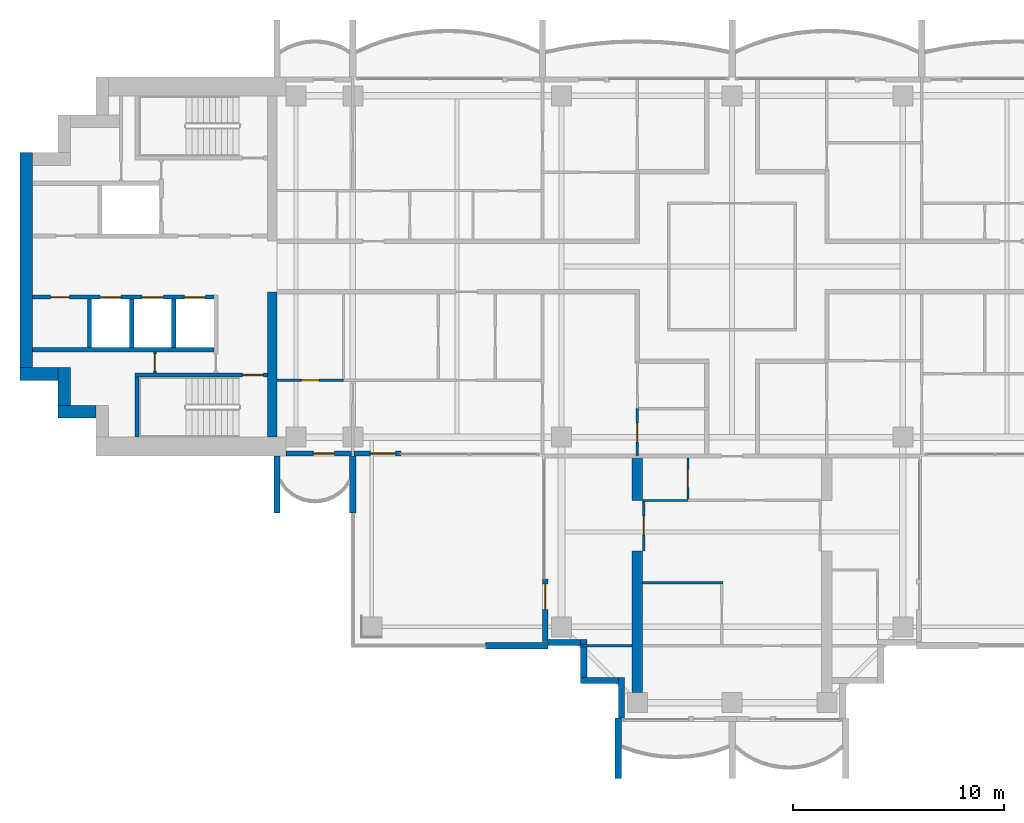
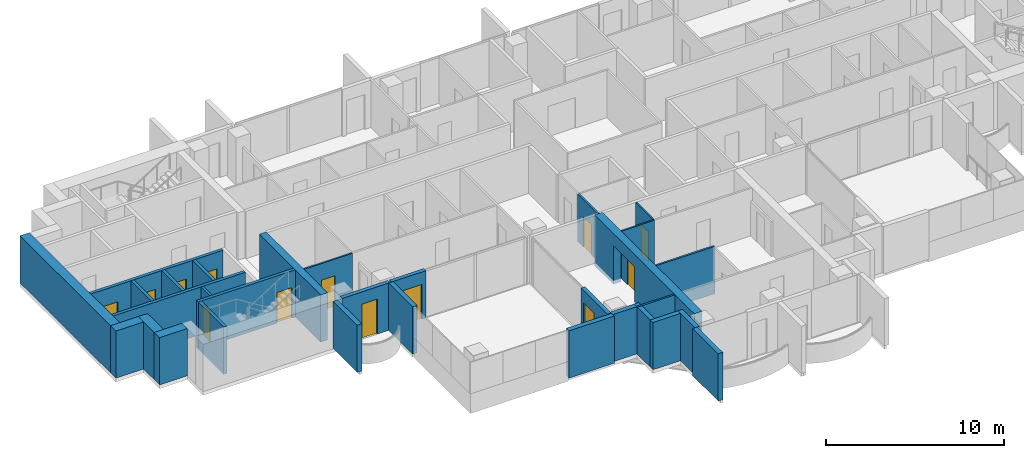
# One storey, part 8 of 17: 32 walls, 13 doors, 13 openings.
"""IFC4 building model written with IfcOpenShell, lengths in metres."""

from ifc_helpers import new_model, si_unit, direction, frame, frame_2d, origin, place, context, subcontext, project, spatial, polyline, rectangle, outline, extrude, material, layer, layer_set, material_profile, profile_set, type_object, element, fill, save


model = new_model("IFC4")

# Units and contexts
model_context = context("Model", 3, precision=1e-05, world=origin(), true_north=direction((0.0, 1.0)))
body_context = subcontext(model_context, "Body", "Model", "MODEL_VIEW")
ifc_project = project(units=[si_unit("LENGTHUNIT", "METRE"), si_unit("AREAUNIT", "SQUARE_METRE"), si_unit("VOLUMEUNIT", "CUBIC_METRE"), si_unit("PLANEANGLEUNIT", "RADIAN"), si_unit("MASSUNIT", "GRAM", prefix="KILO")], contexts=[model_context])

# Site, building, storey
site_placement = place(None, origin())
site = spatial("IfcSite", under=ifc_project, at=site_placement, CompositionType="ELEMENT")
building_placement = place(site_placement, origin())
building = spatial("IfcBuilding", under=site, at=building_placement, Name="Perihelion Cross Residences", CompositionType="ELEMENT")
storey_placement = place(building_placement, frame((0.0, 0.0, 212.10009765625)))
storey = spatial("IfcBuildingStorey", under=building, at=storey_placement, Name="L53", CompositionType="ELEMENT", Elevation=212.10009765625)

# Wall, opening, door
ifc_material_1 = material(Name="Concrete C30/37, bronze-clad", Category="concrete")
ifc_layer_1 = layer(ifc_material_1, 0.25)
ifc_layer_set_1 = layer_set([ifc_layer_1], Name="Bronze-clad pier wall 250")
wall_type_1 = type_object("IfcWallType", Name="Bronze-clad pier wall 250", PredefinedType="SOLIDWALL", material=ifc_layer_set_1)
wall_1_placement = place(storey_placement, frame((-21.175048828125, -8.875, 0.0), z_axis=(0.0, 0.0, 1.0), x_axis=(1.0, 0.0, 0.0)))
wall_1 = element("IfcWall", 1, at=wall_1_placement, inside=storey, type_object=wall_type_1, Name="Wall FW1 L53 west side south bay 1 pier", PredefinedType="SOLIDWALL", context=body_context, shape_type="SweptSolid", body=[
    extrude(rectangle(XDim=3.114990234375, YDim=0.25, at=frame_2d((1.5576171875, 0.0))), origin(), (0.0, 0.0, 1.0), 3.25),
])
opening_1_placement = place(wall_1_placement, frame((1.300048828125, 0.0, 0.0)))
opening_1 = element("IfcOpeningElement", 2, at=opening_1_placement, cuts=wall_1, Name="Opening L53.E07", PredefinedType="OPENING", context=body_context, shape_type="SweptSolid", body=[
    extrude(rectangle(XDim=1.0, YDim=2.39990234375, at=frame_2d((0.5, 1.199951171875))), frame((0.0, 0.135009765625, 0.0), z_axis=(0.0, -1.0, 0.0), x_axis=(1.0, 0.0, 0.0)), (0.0, 0.0, 1.0), 0.27001953125),
])
ifc_material_2 = material(Name="Bronze anodised aluminium, glazed", Category="aluminium")
door_type_1 = type_object("IfcDoorType", Name="Balcony door 1000 x 2400", OperationType="NOTDEFINED", PredefinedType="DOOR", material=ifc_material_2)
door_1_placement = place(opening_1_placement, origin())
door_1 = element("IfcDoor", 3, at=door_1_placement, inside=storey, type_object=door_type_1, Name="Door L53.E07 west side south bay 1", OperationType="SINGLE_SWING_LEFT", OverallHeight=2.39990234375, OverallWidth=1.0, PredefinedType="DOOR", context=body_context, shape_type="SweptSolid", body=[
    extrude(rectangle(XDim=1.0, YDim=2.39990234375, at=frame_2d((0.5, 1.199951171875))), frame((0.0, 0.02490234375, 0.0), z_axis=(0.0, -1.0, 0.0), x_axis=(1.0, 0.0, 0.0)), (0.0, 0.0, 1.0), 0.050048828125),
])
fill(opening_1, door_1)

wall_2_placement = place(storey_placement, frame((-17.93994140625, -8.875, 0.0), z_axis=(0.0, 0.0, 1.0), x_axis=(1.0, 0.0, 0.0)))
wall_2 = element("IfcWall", 4, at=wall_2_placement, inside=storey, type_object=wall_type_1, Name="Wall FW1 L53 west side south bay 2 pier", PredefinedType="SOLIDWALL", context=body_context, shape_type="SweptSolid", body=[
    extrude(rectangle(XDim=2.21484375, YDim=0.25, at=frame_2d((1.107421875, 0.0))), origin(), (0.0, 0.0, 1.0), 3.25),
])
opening_2_placement = place(wall_2_placement, frame((0.764892578125, 0.0, 0.0)))
opening_2 = element("IfcOpeningElement", 5, at=opening_2_placement, cuts=wall_2, Name="Opening L53.E08", PredefinedType="OPENING", context=body_context, shape_type="SweptSolid", body=[
    extrude(rectangle(XDim=1.199951171875, YDim=2.39990234375, at=frame_2d((0.60009765625, 1.199951171875))), frame((0.0, 0.135009765625, 0.0), z_axis=(0.0, -1.0, 0.0), x_axis=(1.0, 0.0, 0.0)), (0.0, 0.0, 1.0), 0.27001953125),
])
ifc_material_3 = material(Name="Bronze anodised aluminium, glazed", Category="aluminium")
door_type_2 = type_object("IfcDoorType", Name="Balcony door 1200 x 2400", OperationType="NOTDEFINED", PredefinedType="DOOR", material=ifc_material_3)
door_2_placement = place(opening_2_placement, origin())
door_2 = element("IfcDoor", 6, at=door_2_placement, inside=storey, type_object=door_type_2, Name="Door L53.E08 west side south bay 2", OperationType="SINGLE_SWING_RIGHT", OverallHeight=2.39990234375, OverallWidth=1.199951171875, PredefinedType="DOOR", context=body_context, shape_type="SweptSolid", body=[
    extrude(rectangle(XDim=1.199951171875, YDim=2.39990234375, at=frame_2d((0.60009765625, 1.199951171875))), frame((0.0, 0.02490234375, 0.0), z_axis=(0.0, -1.0, 0.0), x_axis=(1.0, 0.0, 0.0)), (0.0, 0.0, 1.0), 0.050048828125),
])
fill(opening_2, door_2)

wall_3_placement = place(storey_placement, frame((-8.875, -14.824951171875, 0.0), z_axis=(0.0, 0.0, 1.0), x_axis=(0.0, -1.0, 0.0)))
wall_3 = element("IfcWall", 7, at=wall_3_placement, inside=storey, type_object=wall_type_1, Name="Wall FW1 L53 south side west bay 1 pier", PredefinedType="SOLIDWALL", context=body_context, shape_type="SweptSolid", body=[
    extrude(rectangle(XDim=2.97509765625, YDim=0.25, at=frame_2d((1.487548828125, 0.0))), origin(), (0.0, 0.0, 1.0), 3.25),
])
opening_3_placement = place(wall_3_placement, frame((0.25, 0.0, 0.0)))
opening_3 = element("IfcOpeningElement", 8, at=opening_3_placement, cuts=wall_3, Name="Opening L53.E09", PredefinedType="OPENING", context=body_context, shape_type="SweptSolid", body=[
    extrude(rectangle(XDim=1.199951171875, YDim=2.39990234375, at=frame_2d((0.60009765625, 1.199951171875))), frame((0.0, 0.135009765625, 0.0), z_axis=(0.0, -1.0, 0.0), x_axis=(1.0, 0.0, 0.0)), (0.0, 0.0, 1.0), 0.27001953125),
])
door_3_placement = place(opening_3_placement, origin())
door_3 = element("IfcDoor", 9, at=door_3_placement, inside=storey, type_object=door_type_2, Name="Door L53.E09 south side west bay 1", OperationType="SINGLE_SWING_LEFT", OverallHeight=2.39990234375, OverallWidth=1.199951171875, PredefinedType="DOOR", context=body_context, shape_type="SweptSolid", body=[
    extrude(rectangle(XDim=1.199951171875, YDim=2.39990234375, at=frame_2d((0.60009765625, 1.199951171875))), frame((0.0, 0.02490234375, 0.0), z_axis=(0.0, -1.0, 0.0), x_axis=(1.0, 0.0, 0.0)), (0.0, 0.0, 1.0), 0.050048828125),
])
fill(opening_3, door_3)

# Walls
ifc_material_4 = material(Name="Concrete C30/37, bronze-clad", Category="concrete")
ifc_layer_2 = layer(ifc_material_4, 0.300048828125)
ifc_layer_set_2 = layer_set([ifc_layer_2], Name="Bronze-clad serration wall 300")
wall_type_2 = type_object("IfcWallType", Name="Bronze-clad serration wall 300", PredefinedType="SOLIDWALL", material=ifc_layer_set_2)
wall_4_placement = place(storey_placement, frame((-8.75, -17.85009765625, 0.0), z_axis=(0.0, 0.0, 1.0), x_axis=(1.0, 0.0, 0.0)))
element("IfcWall", 10, at=wall_4_placement, inside=storey, type_object=wall_type_2, Name="Wall SR1 L53 south corner south-west 1", PredefinedType="SOLIDWALL", context=body_context, shape_type="SweptSolid", body=[
    extrude(rectangle(XDim=1.550048828125, YDim=0.300048828125, at=frame_2d((0.77490234375, 0.0))), origin(), (0.0, 0.0, 1.0), 3.25),
])
for number, where, z_axis, x_axis, name in (
    (11, (-7.050048828125, -17.699951171875, 0.0), (0.0, 0.0, 1.0), (0.0, -1.0, 0.0), "Wall SR1 L53 south corner south-west 2"),
    (12, (-7.199951171875, -19.64990234375, 0.0), (0.0, 0.0, 1.0), (1.0, 0.0, 0.0), "Wall SR1 L53 south corner south-west 3"),
):
    element("IfcWall", number, at=place(storey_placement, frame(where, z_axis=z_axis, x_axis=x_axis)), inside=storey, type_object=wall_type_2, Name=name, PredefinedType="SOLIDWALL", context=body_context, shape_type="SweptSolid", body=[
        extrude(rectangle(XDim=1.800048828125, YDim=0.300048828125, at=frame_2d((0.89990234375, 0.0))), origin(), (0.0, 0.0, 1.0), 3.25),
    ])
wall_5_placement = place(storey_placement, frame((-5.25, -19.5, 0.0), z_axis=(0.0, 0.0, 1.0), x_axis=(0.0, -1.0, 0.0)))
element("IfcWall", 13, at=wall_5_placement, inside=storey, type_object=wall_type_2, Name="Wall SR1 L53 south corner south-west 4", PredefinedType="SOLIDWALL", context=body_context, shape_type="SweptSolid", body=[
    extrude(rectangle(XDim=1.919921875, YDim=0.300048828125, at=frame_2d((0.9599609375, 0.0))), origin(), (0.0, 0.0, 1.0), 3.25),
])
ifc_material_5 = material(Name="Concrete C60/75", Category="concrete")
ifc_layer_3 = layer(ifc_material_5, 0.449951171875)
ifc_layer_set_3 = layer_set([ifc_layer_3], Name="Core wall, inner 450")
wall_type_3 = type_object("IfcWallType", Name="Core wall, inner 450", PredefinedType="SHEAR", material=ifc_layer_set_3)
wall_6_placement = place(storey_placement, frame((-21.824951171875, -8.10009765625, 0.0), z_axis=(0.0, 0.0, 1.0), x_axis=(0.0, 1.0, 0.0)))
element("IfcWall", 14, at=wall_6_placement, inside=storey, type_object=wall_type_3, Name="West core core wall, inner", PredefinedType="SHEAR", context=body_context, shape_type="SweptSolid", body=[
    extrude(rectangle(XDim=6.900146484375, YDim=0.449951171875, at=frame_2d((3.4501953125, 0.0))), origin(), (0.0, 0.0, 1.0), 3.25),
])
ifc_material_6 = material(Name="Concrete C60/75", Category="concrete")
ifc_layer_4 = layer(ifc_material_6, 0.60009765625)
ifc_layer_set_4 = layer_set([ifc_layer_4], Name="Core wall, outer 600")
wall_type_4 = type_object("IfcWallType", Name="Core wall, outer 600", PredefinedType="SHEAR", material=ifc_layer_set_4)
for number, where, z_axis, x_axis, name in (
    (15, (-32.0, -6.89990234375, 0.0), (0.0, 0.0, 1.0), (1.0, 0.0, 0.0), "West core core wall, outer"),
    (16, (-31.699951171875, -6.60009765625, 0.0), (0.0, 0.0, 1.0), (0.0, 1.0, 0.0), "West core core wall, outer"),
    (17, (-33.800048828125, -5.10009765625, 0.0), (0.0, 0.0, 1.0), (1.0, 0.0, 0.0), "West core core wall, outer"),
):
    element("IfcWall", number, at=place(storey_placement, frame(where, z_axis=z_axis, x_axis=x_axis)), inside=storey, type_object=wall_type_4, Name=name, PredefinedType="SHEAR", context=body_context, shape_type="SweptSolid", body=[
        extrude(rectangle(XDim=1.800048828125, YDim=0.60009765625, at=frame_2d((0.89990234375, 0.0))), origin(), (0.0, 0.0, 1.0), 3.25),
    ])
wall_7_placement = place(storey_placement, frame((-33.5, -4.800048828125, 0.0), z_axis=(0.0, 0.0, 1.0), x_axis=(0.0, 1.0, 0.0)))
element("IfcWall", 18, at=wall_7_placement, inside=storey, type_object=wall_type_4, Name="West core core wall, outer", PredefinedType="SHEAR", context=body_context, shape_type="SweptSolid", body=[
    extrude(rectangle(XDim=10.199951171875, YDim=0.60009765625, at=frame_2d((5.10009765625, 0.0))), origin(), (0.0, 0.0, 1.0), 3.25),
])

# Wall, opening, door
ifc_material_7 = material(Name="Plasterboard partition")
ifc_layer_5 = layer(ifc_material_7, 0.1201171875)
ifc_layer_set_5 = layer_set([ifc_layer_5], Name="Infill panel 120")
wall_type_5 = type_object("IfcWallType", Name="Infill panel 120", PredefinedType="PARTITIONING", material=ifc_layer_set_5)
wall_8_placement = place(storey_placement, frame((-4.18994140625, -11.10009765625, 0.0), z_axis=(0.0, 0.0, 1.0), x_axis=(0.0, -1.0, 0.0)))
wall_8 = element("IfcWall", 19, at=wall_8_placement, inside=storey, type_object=wall_type_5, Name="Partition L53 WI02", PredefinedType="PARTITIONING", context=body_context, shape_type="SweptSolid", body=[
    extrude(rectangle(XDim=2.39990234375, YDim=0.1201171875, at=frame_2d((1.199951171875, 0.0))), origin(), (0.0, 0.0, 1.0), 2.39990234375),
])
opening_4_placement = place(wall_8_placement, frame((0.75, 0.0, 0.0)))
opening_4 = element("IfcOpeningElement", 20, at=opening_4_placement, cuts=wall_8, Name="Opening L53.A46", PredefinedType="OPENING", context=body_context, shape_type="SweptSolid", body=[
    extrude(rectangle(XDim=0.89990234375, YDim=2.10009765625, at=frame_2d((0.449951171875, 1.050048828125))), frame((0.0, 0.070068359375, 0.0), z_axis=(0.0, -1.0, 0.0), x_axis=(1.0, 0.0, 0.0)), (0.0, 0.0, 1.0), 0.14013671875),
])
ifc_material_8 = material(Name="Timber door leaf", Category="wood")
door_type_3 = type_object("IfcDoorType", Name="Interior room door 900 x 2100", OperationType="SINGLE_SWING_LEFT", PredefinedType="DOOR", material=ifc_material_8)
door_4_placement = place(opening_4_placement, origin())
door_4 = element("IfcDoor", 21, at=door_4_placement, inside=storey, type_object=door_type_3, Name="Door L53.A46", OperationType="SINGLE_SWING_RIGHT", OverallHeight=2.10009765625, OverallWidth=0.89990234375, PredefinedType="DOOR", context=body_context, shape_type="SweptSolid", body=[
    extrude(rectangle(XDim=0.89990234375, YDim=2.10009765625, at=frame_2d((0.449951171875, 1.050048828125))), frame((0.0, 0.02490234375, 0.0), z_axis=(0.0, -1.0, 0.0), x_axis=(1.0, 0.0, 0.0)), (0.0, 0.0, 1.0), 0.050048828125),
])
fill(opening_4, door_4)

ifc_material_9 = material(Name="Plasterboard partition")
ifc_layer_6 = layer(ifc_material_9, 0.1201171875)
ifc_layer_set_6 = layer_set([ifc_layer_6], Name="Partition wall 120")
wall_type_6 = type_object("IfcWallType", Name="Partition wall 120", PredefinedType="PARTITIONING", material=ifc_layer_set_6)
wall_9_placement = place(storey_placement, frame((-4.5, -6.75, 0.0), z_axis=(0.0, 0.0, 1.0), x_axis=(0.0, -1.0, 0.0)))
wall_9 = element("IfcWall", 22, at=wall_9_placement, inside=storey, type_object=wall_type_6, Name="Partition L53 W061", PredefinedType="PARTITIONING", context=body_context, shape_type="SweptSolid", body=[
    extrude(rectangle(XDim=2.25, YDim=0.1201171875, at=frame_2d((1.125, 0.0))), origin(), (0.0, 0.0, 1.0), 3.25),
])
opening_5_placement = place(wall_9_placement, frame((0.675048828125, 0.0, 0.0)))
opening_5 = element("IfcOpeningElement", 23, at=opening_5_placement, cuts=wall_9, Name="Opening L53.A28", PredefinedType="OPENING", context=body_context, shape_type="SweptSolid", body=[
    extrude(rectangle(XDim=0.89990234375, YDim=2.10009765625, at=frame_2d((0.449951171875, 1.050048828125))), frame((0.0, 0.070068359375, 0.0), z_axis=(0.0, -1.0, 0.0), x_axis=(1.0, 0.0, 0.0)), (0.0, 0.0, 1.0), 0.14013671875),
])
door_5_placement = place(opening_5_placement, origin())
door_5 = element("IfcDoor", 24, at=door_5_placement, inside=storey, type_object=door_type_3, Name="Door L53.A28", OperationType="SINGLE_SWING_RIGHT", OverallHeight=2.10009765625, OverallWidth=0.89990234375, PredefinedType="DOOR", context=body_context, shape_type="SweptSolid", body=[
    extrude(rectangle(XDim=0.89990234375, YDim=2.10009765625, at=frame_2d((0.449951171875, 1.050048828125))), frame((0.0, 0.02490234375, 0.0), z_axis=(0.0, -1.0, 0.0), x_axis=(1.0, 0.0, 0.0)), (0.0, 0.0, 1.0), 0.050048828125),
])
fill(opening_5, door_5)

# Walls
wall_10_placement = place(storey_placement, frame((-0.43994140625, -15.0, 0.0), z_axis=(0.0, 0.0, 1.0), x_axis=(-1.0, 0.0, 0.0)))
element("IfcWall", 25, at=wall_10_placement, inside=storey, type_object=wall_type_6, Name="Partition L53 W067", PredefinedType="PARTITIONING", context=body_context, shape_type="SweptSolid", body=[
    extrude(rectangle(XDim=3.81005859375, YDim=0.1201171875, at=frame_2d((1.905029296875, 0.0))), origin(), (0.0, 0.0, 1.0), 3.25),
])
wall_11_placement = place(storey_placement, frame((-4.75, -18.0, 0.0), z_axis=(0.0, 0.0, 1.0), x_axis=(-1.0, 0.0, 0.0)))
element("IfcWall", 26, at=wall_11_placement, inside=storey, type_object=wall_type_6, Name="Partition L53 W072", PredefinedType="PARTITIONING", context=body_context, shape_type="SweptSolid", body=[
    extrude(rectangle(XDim=2.3701171875, YDim=0.1201171875, at=frame_2d((1.18505859375, 0.0))), origin(), (0.0, 0.0, 1.0), 3.25),
])
ifc_material_10 = material(Name="Precast concrete C50/60", Category="concrete")
ifc_layer_7 = layer(ifc_material_10, 0.300048828125)
ifc_layer_set_7 = layer_set([ifc_layer_7], Name="Precast concrete C50/60 blade wall 300")
wall_type_7 = type_object("IfcWallType", Name="Precast concrete C50/60 blade wall 300", PredefinedType="SOLIDWALL", material=ifc_layer_set_7)
for number, where, z_axis, x_axis, name in (
    (27, (-21.60009765625, -9.0, 0.0), (0.0, 0.0, 1.0), (0.0, -1.0, 0.0), "Wall BL1 L53 no. 3"),
    (28, (-18.0, -9.0, 0.0), (0.0, 0.0, 1.0), (0.0, -1.0, 0.0), "Wall BL1 L53 no. 1"),
):
    element("IfcWall", number, at=place(storey_placement, frame(where, z_axis=z_axis, x_axis=x_axis)), inside=storey, type_object=wall_type_7, Name=name, PredefinedType="SOLIDWALL", context=body_context, shape_type="SweptSolid", body=[
        extrude(rectangle(XDim=2.699951171875, YDim=0.300048828125, at=frame_2d((1.35009765625, 0.0))), origin(), (0.0, 0.0, 1.0), 3.25),
    ])
wall_12_placement = place(storey_placement, frame((-8.75, -18.0, 0.0), z_axis=(0.0, 0.0, 1.0), x_axis=(-1.0, 0.0, 0.0)))
element("IfcWall", 29, at=wall_12_placement, inside=storey, type_object=wall_type_7, Name="Wall BL1 L53 no. 6", PredefinedType="SOLIDWALL", context=body_context, shape_type="SweptSolid", body=[
    extrude(rectangle(XDim=2.949951171875, YDim=0.300048828125, at=frame_2d((1.47509765625, 0.0))), origin(), (0.0, 0.0, 1.0), 3.25),
])
wall_13_placement = place(storey_placement, frame((-5.39990234375, -21.419921875, 0.0), z_axis=(0.0, 0.0, 1.0), x_axis=(0.0, -1.0, 0.0)))
element("IfcWall", 30, at=wall_13_placement, inside=storey, type_object=wall_type_7, Name="Wall BL1 L53 no. 5", PredefinedType="SOLIDWALL", context=body_context, shape_type="SweptSolid", body=[
    extrude(rectangle(XDim=2.880126953125, YDim=0.300048828125, at=frame_2d((1.43994140625, 0.0))), origin(), (0.0, 0.0, 1.0), 3.25),
])

# Wall, opening, door
ifc_material_11 = material(Name="Fire-rated board on steel stud", Category="steel")
ifc_layer_8 = layer(ifc_material_11, 0.14990234375)
ifc_layer_set_8 = layer_set([ifc_layer_8], Name="Riser wall 150")
wall_type_8 = type_object("IfcWallType", Name="Riser wall 150", PredefinedType="PARTITIONING", material=ifc_layer_set_8)
wall_14_placement = place(storey_placement, frame((-27.39990234375, -5.050048828125, 0.0), z_axis=(0.0, 0.0, 1.0), x_axis=(0.0, 1.0, 0.0)))
wall_14 = element("IfcWall", 31, at=wall_14_placement, inside=storey, type_object=wall_type_8, Name="West core riser wall", PredefinedType="PARTITIONING", context=body_context, shape_type="SweptSolid", body=[
    extrude(rectangle(XDim=1.0, YDim=0.14990234375, at=frame_2d((0.5, 0.0))), origin(), (0.0, 0.0, 1.0), 3.25),
])
opening_6_placement = place(wall_14_placement, frame((0.10009765625, 0.0, 0.0)))
opening_6 = element("IfcOpeningElement", 32, at=opening_6_placement, cuts=wall_14, Name="Opening L53.C25", PredefinedType="OPENING", context=body_context, shape_type="SweptSolid", body=[
    extrude(rectangle(XDim=0.800048828125, YDim=2.10009765625, at=frame_2d((0.39990234375, 1.050048828125))), frame((0.0, 0.0849609375, 0.0), z_axis=(0.0, -1.0, 0.0), x_axis=(1.0, 0.0, 0.0)), (0.0, 0.0, 1.0), 0.169921875),
])
ifc_material_12 = material(Name="Steel, powder coated", Category="steel")
door_type_4 = type_object("IfcDoorType", Name="Riser door 800", OperationType="SINGLE_SWING_LEFT", PredefinedType="DOOR", material=ifc_material_12)
door_6_placement = place(opening_6_placement, origin())
door_6 = element("IfcDoor", 33, at=door_6_placement, inside=storey, type_object=door_type_4, Name="West core riser door", OperationType="SINGLE_SWING_LEFT", OverallHeight=2.10009765625, OverallWidth=0.800048828125, PredefinedType="DOOR", context=body_context, shape_type="SweptSolid", body=[
    extrude(rectangle(XDim=0.800048828125, YDim=2.10009765625, at=frame_2d((0.39990234375, 1.050048828125))), frame((0.0, 0.02490234375, 0.0), z_axis=(0.0, -1.0, 0.0), x_axis=(1.0, 0.0, 0.0)), (0.0, 0.0, 1.0), 0.050048828125),
])
fill(opening_6, door_6)

# Wall, openings, doors
ifc_material_13 = material(Name="Concrete C50/60", Category="concrete")
ifc_layer_9 = layer(ifc_material_13, 0.199951171875)
ifc_layer_set_9 = layer_set([ifc_layer_9], Name="Shaft wall 200")
wall_type_9 = type_object("IfcWallType", Name="Shaft wall 200", PredefinedType="SOLIDWALL", material=ifc_layer_set_9)
wall_15_placement = place(storey_placement, frame((-33.199951171875, -1.449951171875, 0.0), z_axis=(0.0, 0.0, 1.0), x_axis=(1.0, 0.0, 0.0)))
wall_15 = element("IfcWall", 34, at=wall_15_placement, inside=storey, type_object=wall_type_9, Name="West core shaft wall", PredefinedType="SOLIDWALL", context=body_context, shape_type="SweptSolid", body=[
    extrude(rectangle(XDim=8.599853515625, YDim=0.199951171875, at=frame_2d((4.2998046875, 0.0))), origin(), (0.0, 0.0, 1.0), 3.25),
])
opening_7_placement = place(wall_15_placement, frame((7.199951171875, 0.0, 0.0)))
opening_7 = element("IfcOpeningElement", 35, at=opening_7_placement, cuts=wall_15, Name="Opening L53.C15", PredefinedType="OPENING", context=body_context, shape_type="SweptSolid", body=[
    extrude(rectangle(XDim=1.0, YDim=2.10009765625, at=frame_2d((0.5, 1.050048828125))), frame((0.0, 0.10986328125, 0.0), z_axis=(0.0, -1.0, 0.0), x_axis=(1.0, 0.0, 0.0)), (0.0, 0.0, 1.0), 0.219970703125),
])
opening_8_placement = place(wall_15_placement, frame((5.199951171875, 0.0, 0.0)))
opening_8 = element("IfcOpeningElement", 36, at=opening_8_placement, cuts=wall_15, Name="Opening L53.C17", PredefinedType="OPENING", context=body_context, shape_type="SweptSolid", body=[
    extrude(rectangle(XDim=1.0, YDim=2.10009765625, at=frame_2d((0.5, 1.050048828125))), frame((0.0, 0.10986328125, 0.0), z_axis=(0.0, -1.0, 0.0), x_axis=(1.0, 0.0, 0.0)), (0.0, 0.0, 1.0), 0.219970703125),
])
opening_9_placement = place(wall_15_placement, frame((3.199951171875, 0.0, 0.0)))
opening_9 = element("IfcOpeningElement", 37, at=opening_9_placement, cuts=wall_15, Name="Opening L53.C18", PredefinedType="OPENING", context=body_context, shape_type="SweptSolid", body=[
    extrude(rectangle(XDim=1.0, YDim=2.10009765625, at=frame_2d((0.5, 1.050048828125))), frame((0.0, 0.10986328125, 0.0), z_axis=(0.0, -1.0, 0.0), x_axis=(1.0, 0.0, 0.0)), (0.0, 0.0, 1.0), 0.219970703125),
])
opening_10_placement = place(wall_15_placement, frame((0.85009765625, 0.0, 0.0)))
opening_10 = element("IfcOpeningElement", 38, at=opening_10_placement, cuts=wall_15, Name="Opening L53.C28", PredefinedType="OPENING", context=body_context, shape_type="SweptSolid", body=[
    extrude(rectangle(XDim=0.89990234375, YDim=2.10009765625, at=frame_2d((0.449951171875, 1.050048828125))), frame((0.0, 0.10986328125, 0.0), z_axis=(0.0, -1.0, 0.0), x_axis=(1.0, 0.0, 0.0)), (0.0, 0.0, 1.0), 0.219970703125),
])
ifc_material_14 = material(Name="Stainless steel", Category="steel")
door_type_5 = type_object("IfcDoorType", Name="Landing door 1000", OperationType="DOUBLE_DOOR_SLIDING", PredefinedType="DOOR", material=ifc_material_14)
door_7_placement = place(opening_7_placement, origin())
door_7 = element("IfcDoor", 39, at=door_7_placement, inside=storey, type_object=door_type_5, Name="Landing door, West core high-rise lift 1", OperationType="DOUBLE_DOOR_SLIDING", OverallHeight=2.10009765625, OverallWidth=1.0, PredefinedType="DOOR", context=body_context, shape_type="SweptSolid", body=[
    extrude(rectangle(XDim=1.0, YDim=2.10009765625, at=frame_2d((0.5, 1.050048828125))), frame((0.0, 0.02490234375, 0.0), z_axis=(0.0, -1.0, 0.0), x_axis=(1.0, 0.0, 0.0)), (0.0, 0.0, 1.0), 0.050048828125),
])
fill(opening_7, door_7)
door_8_placement = place(opening_8_placement, origin())
door_8 = element("IfcDoor", 40, at=door_8_placement, inside=storey, type_object=door_type_5, Name="Landing door, West core high-rise lift 2", OperationType="DOUBLE_DOOR_SLIDING", OverallHeight=2.10009765625, OverallWidth=1.0, PredefinedType="DOOR", context=body_context, shape_type="SweptSolid", body=[
    extrude(rectangle(XDim=1.0, YDim=2.10009765625, at=frame_2d((0.5, 1.050048828125))), frame((0.0, 0.02490234375, 0.0), z_axis=(0.0, -1.0, 0.0), x_axis=(1.0, 0.0, 0.0)), (0.0, 0.0, 1.0), 0.050048828125),
])
fill(opening_8, door_8)
door_9_placement = place(opening_9_placement, origin())
door_9 = element("IfcDoor", 41, at=door_9_placement, inside=storey, type_object=door_type_5, Name="Landing door, West core high-rise lift 3", OperationType="DOUBLE_DOOR_SLIDING", OverallHeight=2.10009765625, OverallWidth=1.0, PredefinedType="DOOR", context=body_context, shape_type="SweptSolid", body=[
    extrude(rectangle(XDim=1.0, YDim=2.10009765625, at=frame_2d((0.5, 1.050048828125))), frame((0.0, 0.02490234375, 0.0), z_axis=(0.0, -1.0, 0.0), x_axis=(1.0, 0.0, 0.0)), (0.0, 0.0, 1.0), 0.050048828125),
])
fill(opening_9, door_9)
ifc_material_15 = material(Name="Steel, powder coated", Category="steel")
door_type_6 = type_object("IfcDoorType", Name="Service room door 900", OperationType="SINGLE_SWING_LEFT", PredefinedType="DOOR", material=ifc_material_15)
door_10_placement = place(opening_10_placement, origin())
door_10 = element("IfcDoor", 42, at=door_10_placement, inside=storey, type_object=door_type_6, Name="West core service room door", OperationType="SINGLE_SWING_LEFT", OverallHeight=2.10009765625, OverallWidth=0.89990234375, PredefinedType="DOOR", context=body_context, shape_type="SweptSolid", body=[
    extrude(rectangle(XDim=0.89990234375, YDim=2.10009765625, at=frame_2d((0.449951171875, 1.050048828125))), frame((0.0, 0.02490234375, 0.0), z_axis=(0.0, -1.0, 0.0), x_axis=(1.0, 0.0, 0.0)), (0.0, 0.0, 1.0), 0.050048828125),
])
fill(opening_10, door_10)

# Walls
wall_16_placement = place(storey_placement, frame((-33.199951171875, -3.949951171875, 0.0), z_axis=(0.0, 0.0, 1.0), x_axis=(1.0, 0.0, 0.0)))
element("IfcWall", 43, at=wall_16_placement, inside=storey, type_object=wall_type_9, Name="West core shaft wall", PredefinedType="SOLIDWALL", context=body_context, shape_type="SweptSolid", body=[
    extrude(rectangle(XDim=8.599853515625, YDim=0.199951171875, at=frame_2d((4.2998046875, 0.0))), origin(), (0.0, 0.0, 1.0), 3.25),
])
for number, where, z_axis, x_axis, name in (
    (44, (-26.5, -3.85009765625, 0.0), (0.0, 0.0, 1.0), (0.0, 1.0, 0.0), "West core shaft wall"),
    (45, (-28.5, -3.85009765625, 0.0), (0.0, 0.0, 1.0), (0.0, 1.0, 0.0), "West core shaft wall"),
    (46, (-30.5, -3.85009765625, 0.0), (0.0, 0.0, 1.0), (0.0, 1.0, 0.0), "West core shaft wall"),
):
    element("IfcWall", number, at=place(storey_placement, frame(where, z_axis=z_axis, x_axis=x_axis)), inside=storey, type_object=wall_type_9, Name=name, PredefinedType="SOLIDWALL", context=body_context, shape_type="SweptSolid", body=[
        extrude(rectangle(XDim=2.300048828125, YDim=0.199951171875, at=frame_2d((1.14990234375, 0.0))), origin(), (0.0, 0.0, 1.0), 3.25),
    ])

# Wall, opening, door
ifc_material_16 = material(Name="Concrete C50/60", Category="concrete")
ifc_layer_10 = layer(ifc_material_16, 0.199951171875)
ifc_layer_set_10 = layer_set([ifc_layer_10], Name="Stair wall 200")
wall_type_10 = type_object("IfcWallType", Name="Stair wall 200", PredefinedType="SOLIDWALL", material=ifc_layer_set_10)
wall_17_placement = place(storey_placement, frame((-28.35009765625, -5.14990234375, 0.0), z_axis=(0.0, 0.0, 1.0), x_axis=(1.0, 0.0, 0.0)))
wall_17 = element("IfcWall", 47, at=wall_17_placement, inside=storey, type_object=wall_type_10, Name="West core stair wall", PredefinedType="SOLIDWALL", context=body_context, shape_type="SweptSolid", body=[
    extrude(rectangle(XDim=6.300048828125, YDim=0.199951171875, at=frame_2d((3.14990234375, 0.0))), origin(), (0.0, 0.0, 1.0), 3.25),
])
opening_11_placement = place(wall_17_placement, frame((5.10009765625, 0.0, 0.0)))
opening_11 = element("IfcOpeningElement", 48, at=opening_11_placement, cuts=wall_17, Name="Opening L53.C19", PredefinedType="OPENING", context=body_context, shape_type="SweptSolid", body=[
    extrude(rectangle(XDim=1.0, YDim=2.10009765625, at=frame_2d((0.5, 1.050048828125))), frame((0.0, 0.10986328125, 0.0), z_axis=(0.0, -1.0, 0.0), x_axis=(1.0, 0.0, 0.0)), (0.0, 0.0, 1.0), 0.219970703125),
])
ifc_material_17 = material(Name="Steel, powder coated", Category="steel")
door_type_7 = type_object("IfcDoorType", Name="Stair door 1000", OperationType="SINGLE_SWING_LEFT", PredefinedType="DOOR", material=ifc_material_17)
door_11_placement = place(opening_11_placement, origin())
door_11 = element("IfcDoor", 49, at=door_11_placement, inside=storey, type_object=door_type_7, Name="West core stair door", OperationType="SINGLE_SWING_LEFT", OverallHeight=2.10009765625, OverallWidth=1.0, PredefinedType="DOOR", context=body_context, shape_type="SweptSolid", body=[
    extrude(rectangle(XDim=1.0, YDim=2.10009765625, at=frame_2d((0.5, 1.050048828125))), frame((0.0, 0.02490234375, 0.0), z_axis=(0.0, -1.0, 0.0), x_axis=(1.0, 0.0, 0.0)), (0.0, 0.0, 1.0), 0.050048828125),
])
fill(opening_11, door_11)

# Walls
wall_18_placement = place(storey_placement, frame((-28.25, -8.10009765625, 0.0), z_axis=(0.0, 0.0, 1.0), x_axis=(0.0, 1.0, 0.0)))
element("IfcWall", 50, at=wall_18_placement, inside=storey, type_object=wall_type_10, Name="West core stair wall", PredefinedType="SOLIDWALL", context=body_context, shape_type="SweptSolid", body=[
    extrude(rectangle(XDim=2.85009765625, YDim=0.199951171875, at=frame_2d((1.425048828125, 0.0))), origin(), (0.0, 0.0, 1.0), 3.25),
])
ifc_material_18 = material(Name="Concrete C60/75", Category="concrete")
ifc_material_profile = material_profile(ifc_material_18, outline(polyline([(0.0, 0.0), (6.72509765625, 0.0), (6.72509765625, 2.64990234375), (9.125, 2.64990234375), (9.125, 0.0), (11.22509765625, 0.0), (11.22509765625, 3.5), (0.0, 3.5), (0.0, 0.0)])), Name="Tip spine wall")
ifc_profile_set = profile_set([ifc_material_profile], Name="Concrete C60/75")
wall_type_11 = type_object("IfcWallType", Name="Tip spine wall 500 with 1 door openings 11225 long 3500 high concrete C60/75", PredefinedType="SHEAR", material=ifc_profile_set)
wall_19_placement = place(storey_placement, frame((-4.75, -20.22509765625, -0.25), z_axis=(1.0, 0.0, 0.0), x_axis=(0.0, 1.0, 0.0)))
element("IfcWall", 51, at=wall_19_placement, inside=storey, type_object=wall_type_11, Name="Shear wall SW41 L53 south west", PredefinedType="SHEAR", context=body_context, shape_type="SweptSolid", body=[
    extrude(outline(polyline([(0.0, 0.0), (6.72509765625, 0.0), (6.72509765625, 2.64990234375), (9.125, 2.64990234375), (9.125, 0.0), (11.22509765625, 0.0), (11.22509765625, 3.5), (0.0, 3.5), (0.0, 0.0)])), origin(), (0.0, 0.0, 1.0), 0.5),
])

# Wall, opening, door
ifc_material_19 = material(Name="Plasterboard partition")
ifc_layer_11 = layer(ifc_material_19, 0.10009765625)
ifc_layer_set_11 = layer_set([ifc_layer_11], Name="Wet room wall 100")
wall_type_12 = type_object("IfcWallType", Name="Wet room wall 100", PredefinedType="PARTITIONING", material=ifc_layer_set_11)
wall_20_placement = place(storey_placement, frame((-18.449951171875, -5.39990234375, 0.0), z_axis=(0.0, 0.0, 1.0), x_axis=(-1.0, 0.0, 0.0)))
wall_20 = element("IfcWall", 52, at=wall_20_placement, inside=storey, type_object=wall_type_12, Name="Partition L53 W058", PredefinedType="PARTITIONING", context=body_context, shape_type="SweptSolid", body=[
    extrude(rectangle(XDim=3.150146484375, YDim=0.10009765625, at=frame_2d((1.5751953125, 0.0))), origin(), (0.0, 0.0, 1.0), 3.25),
])
opening_12_placement = place(wall_20_placement, frame((1.14990234375, 0.0, 0.0)))
opening_12 = element("IfcOpeningElement", 53, at=opening_12_placement, cuts=wall_20, Name="Opening L53.A34", PredefinedType="OPENING", context=body_context, shape_type="SweptSolid", body=[
    extrude(rectangle(XDim=0.85009765625, YDim=2.10009765625, at=frame_2d((0.425048828125, 1.050048828125))), frame((0.0, 0.06005859375, 0.0), z_axis=(0.0, -1.0, 0.0), x_axis=(1.0, 0.0, 0.0)), (0.0, 0.0, 1.0), 0.1201171875),
])
ifc_material_20 = material(Name="Timber door leaf", Category="wood")
door_type_8 = type_object("IfcDoorType", Name="Interior bathroom door 850 x 2100", OperationType="SINGLE_SWING_LEFT", PredefinedType="DOOR", material=ifc_material_20)
door_12_placement = place(opening_12_placement, origin())
door_12 = element("IfcDoor", 54, at=door_12_placement, inside=storey, type_object=door_type_8, Name="Door L53.A34", OperationType="SINGLE_SWING_LEFT", OverallHeight=2.10009765625, OverallWidth=0.85009765625, PredefinedType="DOOR", context=body_context, shape_type="SweptSolid", body=[
    extrude(rectangle(XDim=0.85009765625, YDim=2.10009765625, at=frame_2d((0.425048828125, 1.050048828125))), frame((0.0, 0.02490234375, 0.0), z_axis=(0.0, -1.0, 0.0), x_axis=(1.0, 0.0, 0.0)), (0.0, 0.0, 1.0), 0.050048828125),
])
fill(opening_12, door_12)

wall_21_placement = place(storey_placement, frame((-2.10009765625, -11.0400390625, 0.0), z_axis=(0.0, 0.0, 1.0), x_axis=(0.0, 1.0, 0.0)))
wall_21 = element("IfcWall", 55, at=wall_21_placement, inside=storey, type_object=wall_type_12, Name="Partition L53 W063", PredefinedType="PARTITIONING", context=body_context, shape_type="SweptSolid", body=[
    extrude(rectangle(XDim=1.93994140625, YDim=0.10009765625, at=frame_2d((0.969970703125, 0.0))), origin(), (0.0, 0.0, 1.0), 3.25),
])
opening_13_placement = place(wall_21_placement, frame((0.544921875, 0.0, 0.0)))
opening_13 = element("IfcOpeningElement", 56, at=opening_13_placement, cuts=wall_21, Name="Opening L53.A36", PredefinedType="OPENING", context=body_context, shape_type="SweptSolid", body=[
    extrude(rectangle(XDim=0.85009765625, YDim=2.10009765625, at=frame_2d((0.425048828125, 1.050048828125))), frame((0.0, 0.06005859375, 0.0), z_axis=(0.0, -1.0, 0.0), x_axis=(1.0, 0.0, 0.0)), (0.0, 0.0, 1.0), 0.1201171875),
])
door_13_placement = place(opening_13_placement, origin())
door_13 = element("IfcDoor", 57, at=door_13_placement, inside=storey, type_object=door_type_8, Name="Door L53.A36", OperationType="SINGLE_SWING_RIGHT", OverallHeight=2.10009765625, OverallWidth=0.85009765625, PredefinedType="DOOR", context=body_context, shape_type="SweptSolid", body=[
    extrude(rectangle(XDim=0.85009765625, YDim=2.10009765625, at=frame_2d((0.425048828125, 1.050048828125))), frame((0.0, 0.02490234375, 0.0), z_axis=(0.0, -1.0, 0.0), x_axis=(1.0, 0.0, 0.0)), (0.0, 0.0, 1.0), 0.050048828125),
])
fill(opening_13, door_13)

# Wall
wall_22_placement = place(storey_placement, frame((-2.10009765625, -11.10009765625, 0.0), z_axis=(0.0, 0.0, 1.0), x_axis=(-1.0, 0.0, 0.0)))
element("IfcWall", 58, at=wall_22_placement, inside=storey, type_object=wall_type_12, Name="Partition L53 W065", PredefinedType="PARTITIONING", context=body_context, shape_type="SweptSolid", body=[
    extrude(rectangle(XDim=2.14990234375, YDim=0.10009765625, at=frame_2d((1.074951171875, 0.0))), origin(), (0.0, 0.0, 1.0), 3.25),
])

save(model, "model.ifc")
